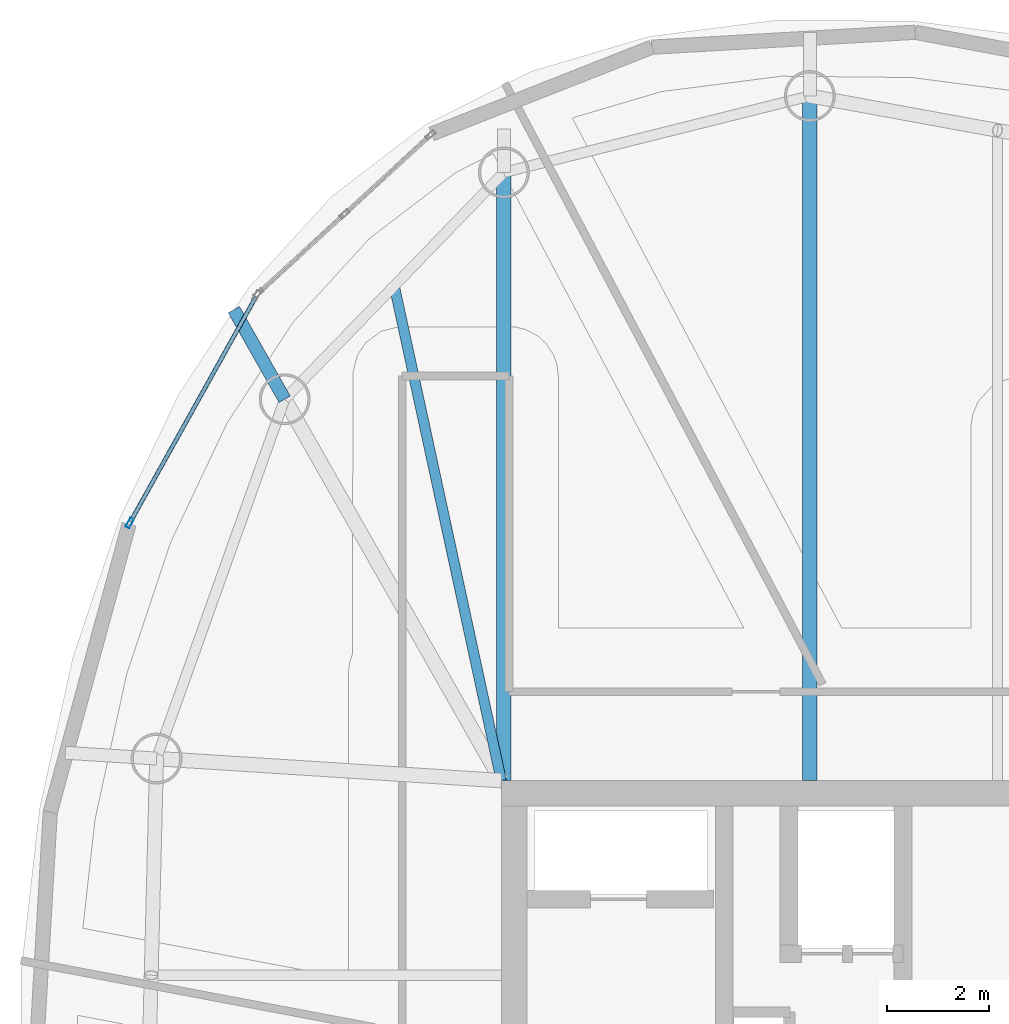
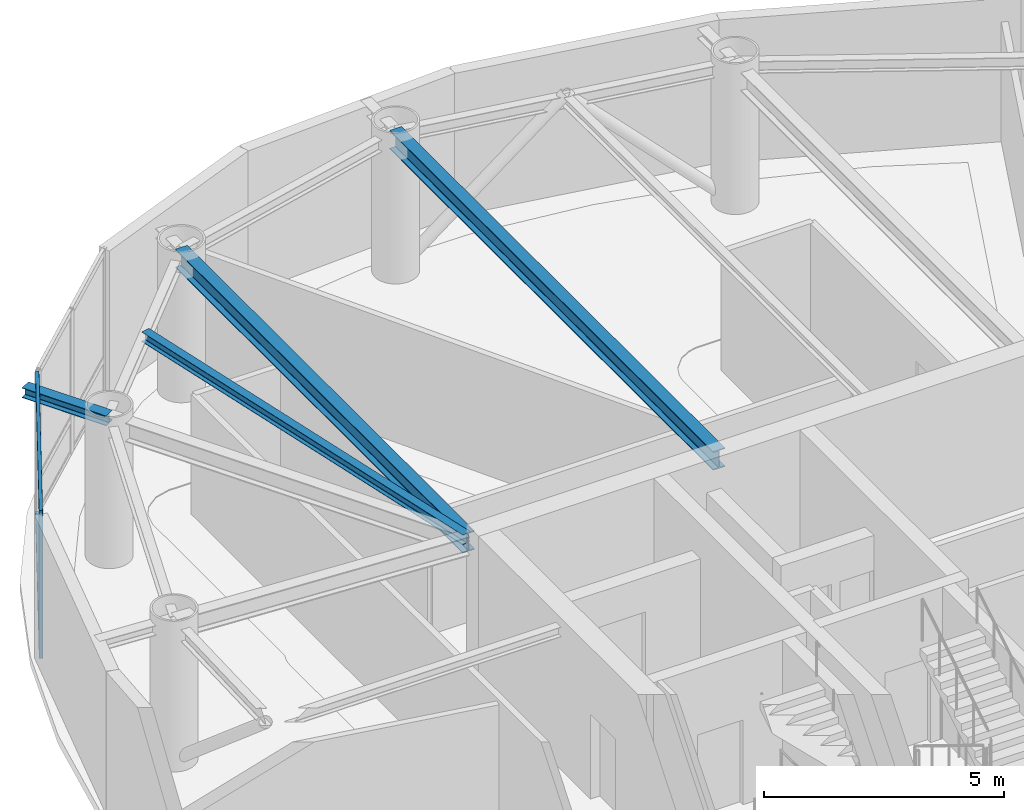
# One storey, part 7 of 17: 4 beams, 3 members, 1 element without a shape of its own.
"""IFC4 building model written with IfcOpenShell, lengths in metres."""

from ifc_helpers import new_model, si_unit, direction, frame, origin, origin_2d, place, context, subcontext, project, spatial, hollow_rectangle, i_section, extrude, material, layer, layer_set, material_profile, profile_set, type_object, element, aggregate, save


model = new_model("IFC4")

# Units and contexts
model_context = context("Model", 3, precision=1e-05, world=origin(), true_north=direction((0.0, 1.0)))
body_context = subcontext(model_context, "Body", "Model", "MODEL_VIEW")
ifc_project = project(units=[si_unit("LENGTHUNIT", "METRE"), si_unit("AREAUNIT", "SQUARE_METRE"), si_unit("VOLUMEUNIT", "CUBIC_METRE"), si_unit("PLANEANGLEUNIT", "RADIAN"), si_unit("MASSUNIT", "GRAM", prefix="KILO")], contexts=[model_context])

# Site, building, storey
site_placement = place(None, origin())
site = spatial("IfcSite", under=ifc_project, at=site_placement, CompositionType="ELEMENT")
building_placement = place(site_placement, origin())
building = spatial("IfcBuilding", under=site, at=building_placement, Name="Bramvorn Convention Spire", CompositionType="ELEMENT")
storey_placement = place(building_placement, frame((0.0, 0.0, 265.14990234375)))
storey = spatial("IfcBuildingStorey", under=building, at=storey_placement, Name="L67", CompositionType="ELEMENT", Elevation=265.14990234375)

# Beams
ifc_material_1 = material(Name="Steel CSA G40.21 Grade 350 (350W)", Category="steel")
ifc_material_profile_1 = material_profile(ifc_material_1, i_section(OverallWidth=0.201904296875, OverallDepth=0.2470703125, WebThickness=0.00732421875, FlangeThickness=0.010986328125, FilletRadius=0.011962890625, at=origin_2d()))
ifc_profile_set_1 = profile_set([ifc_material_profile_1], Name="Steel CSA G40.21 Grade 350 (350W) - W250X49")
beam_type_1 = type_object("IfcBeamType", Name="BM-W250X49", PredefinedType="JOIST", material=ifc_profile_set_1)
beam_1_placement = place(storey_placement, frame((26.75, 33.449951171875, 3.501708984375), z_axis=(-0.211461445939, 0.977386339623, 0.0), x_axis=(-0.977386339623, -0.211461445939, 0.0)))
element("IfcBeam", 1, at=beam_1_placement, inside=storey, type_object=beam_type_1, Name="L67 composite floor joist 09", PredefinedType="JOIST", context=body_context, shape_type="SweptSolid", body=[
    extrude(i_section(OverallWidth=0.201904296875, OverallDepth=0.2470703125, WebThickness=0.00732421875, FlangeThickness=0.010986328125, FilletRadius=0.011962890625, at=origin_2d()), origin(), (0.0, 0.0, 1.0), 9.9462890625),
])
ifc_material_profile_2 = material_profile(ifc_material_1, i_section(OverallWidth=0.25390625, OverallDepth=0.2529296875, WebThickness=0.008544921875, FlangeThickness=0.01416015625, FilletRadius=0.011962890625, at=origin_2d()))
ifc_profile_set_2 = profile_set([ifc_material_profile_2], Name="Steel CSA G40.21 Grade 350 (350W) - W250X73")
beam_type_2 = type_object("IfcBeamType", Name="BM-W250X73", PredefinedType="BEAM", material=ifc_profile_set_2)
beam_2_placement = place(storey_placement, frame((22.49365234375, 40.94384765625, 3.49853515625), z_axis=(-0.493876755964, 0.869531914261, 0.0), x_axis=(-0.869531914261, -0.493876755964, 0.0)))
element("IfcBeam", 2, at=beam_2_placement, inside=storey, type_object=beam_type_2, Name="L67 slab-edge cantilever tip beam MC10", PredefinedType="BEAM", context=body_context, shape_type="SweptSolid", body=[
    extrude(i_section(OverallWidth=0.25390625, OverallDepth=0.2529296875, WebThickness=0.008544921875, FlangeThickness=0.01416015625, FilletRadius=0.011962890625, at=origin_2d()), origin(), (0.0, 0.0, 1.0), 2.02392578125),
])
ifc_material_profile_3 = material_profile(ifc_material_1, i_section(OverallWidth=0.283935546875, OverallDepth=0.47607421875, WebThickness=0.014892578125, FlangeThickness=0.02392578125, FilletRadius=0.01806640625, at=origin_2d()))
ifc_profile_set_3 = profile_set([ifc_material_profile_3], Name="Steel CSA G40.21 Grade 350 (350W) - W460X158")
beam_type_3 = type_object("IfcBeamType", Name="BM-W460X158", PredefinedType="SPANDREL", material=ifc_profile_set_3)
beam_3_placement = place(storey_placement, frame((32.8115234375, 33.449951171875, 3.38720703125), z_axis=(0.0, 1.0, 0.0), x_axis=(-1.0, 0.0, 0.0)))
element("IfcBeam", 3, at=beam_3_placement, inside=storey, type_object=beam_type_3, Name="L67 radial floor girder MC08", PredefinedType="SPANDREL", context=body_context, shape_type="SweptSolid", body=[
    extrude(i_section(OverallWidth=0.283935546875, OverallDepth=0.47607421875, WebThickness=0.014892578125, FlangeThickness=0.02392578125, FilletRadius=0.01806640625, at=origin_2d()), origin(), (0.0, 0.0, 1.0), 13.450927734375),
])
beam_4_placement = place(storey_placement, frame((26.800048828125, 33.449951171875, 3.38720703125), z_axis=(0.0, 1.0, 0.0), x_axis=(-1.0, 0.0, 0.0)))
element("IfcBeam", 4, at=beam_4_placement, inside=storey, type_object=beam_type_3, Name="L67 radial floor girder MC09", PredefinedType="SPANDREL", context=body_context, shape_type="SweptSolid", body=[
    extrude(i_section(OverallWidth=0.283935546875, OverallDepth=0.47607421875, WebThickness=0.014892578125, FlangeThickness=0.02392578125, FilletRadius=0.01806640625, at=origin_2d()), origin(), (0.0, 0.0, 1.0), 11.948974609375),
])

# Curtain wall, members
ifc_material_2 = material(Name="Anodised Bronze Unitised Curtain Wall", Category="aluminium")
ifc_layer = layer(ifc_material_2, 0.179931640625)
ifc_layer_set = layer_set([ifc_layer], Name="Anodised Bronze Unitised Curtain Wall - CW-OFF-FRIT")
curtain_wall_type = type_object("IfcCurtainWallType", Name="CW-OFF-FRIT", PredefinedType="USERDEFINED", material=ifc_layer_set)
curtain_wall_placement = place(storey_placement, origin())
curtain_wall = element("IfcCurtainWall", 5, at=curtain_wall_placement, inside=storey, type_object=curtain_wall_type, Name="L67 fritted glass curtain wall 14", ObjectType="UNITISED CURTAIN WALL", PredefinedType="USERDEFINED")
ifc_material_3 = material(Name="Anodised Bronze Aluminium 6063-T6", Category="aluminium")
ifc_material_profile_4 = material_profile(ifc_material_3, hollow_rectangle(XDim=0.080078125, YDim=0.199951171875, WallThickness=0.00390625, InnerFilletRadius=0.0009765625, OuterFilletRadius=0.00390625, at=origin_2d()))
ifc_profile_set_4 = profile_set([ifc_material_profile_4], Name="Anodised Bronze Aluminium 6063-T6 - CWM80X200")
member_type_1 = type_object("IfcMemberType", Name="CW-MUL-180", PredefinedType="MULLION", material=ifc_profile_set_4)
member_1_placement = place(storey_placement, frame((19.44970703125, 38.5107421875, 0.0), z_axis=(0.0, 0.0, 1.0), x_axis=(-0.873385670718, 0.487029229292, 0.0)))
member_1 = element("IfcMember", 6, at=member_1_placement, type_object=member_type_1, Name="CW3 mullion 1", PredefinedType="MULLION", context=body_context, shape_type="SweptSolid", body=[
    extrude(hollow_rectangle(XDim=0.080078125, YDim=0.199951171875, WallThickness=0.00390625, InnerFilletRadius=0.0009765625, OuterFilletRadius=0.00390625, at=origin_2d()), origin(), (0.0, 0.0, 1.0), 3.625),
])
ifc_material_profile_5 = material_profile(ifc_material_3, hollow_rectangle(XDim=0.080078125, YDim=0.159912109375, WallThickness=0.00390625, InnerFilletRadius=0.0009765625, OuterFilletRadius=0.00390625, at=origin_2d()))
ifc_profile_set_5 = profile_set([ifc_material_profile_5], Name="Anodised Bronze Aluminium 6063-T6 - CWT80X160")
member_type_2 = type_object("IfcMemberType", Name="CW-TRN-150", PredefinedType="USERDEFINED", material=ifc_profile_set_5)
member_2_placement = place(storey_placement, frame((19.464111328125, 38.536865234375, 0.030029296875), z_axis=(0.487043539961, 0.873377690454, 0.0), x_axis=(-0.873377690454, 0.487043539961, 0.0)))
member_2 = element("IfcMember", 7, at=member_2_placement, type_object=member_type_2, Name="CW3 transom 1.1", ObjectType="TRANSOM", PredefinedType="USERDEFINED", context=body_context, shape_type="SweptSolid", body=[
    extrude(hollow_rectangle(XDim=0.080078125, YDim=0.159912109375, WallThickness=0.00390625, InnerFilletRadius=0.0009765625, OuterFilletRadius=0.00390625, at=origin_2d()), origin(), (0.0, 0.0, 1.0), 5.059326171875),
])
member_3_placement = place(storey_placement, frame((19.464111328125, 38.536865234375, 3.59521484375), z_axis=(0.487043539961, 0.873377690454, 0.0), x_axis=(-0.873377690454, 0.487043539961, 0.0)))
member_3 = element("IfcMember", 8, at=member_3_placement, type_object=member_type_2, Name="CW3 transom 1.2", ObjectType="TRANSOM", PredefinedType="USERDEFINED", context=body_context, shape_type="SweptSolid", body=[
    extrude(hollow_rectangle(XDim=0.080078125, YDim=0.159912109375, WallThickness=0.00390625, InnerFilletRadius=0.0009765625, OuterFilletRadius=0.00390625, at=origin_2d()), origin(), (0.0, 0.0, 1.0), 5.059326171875),
])
aggregate(curtain_wall, [member_1, member_2, member_3])

save(model, "model.ifc")
